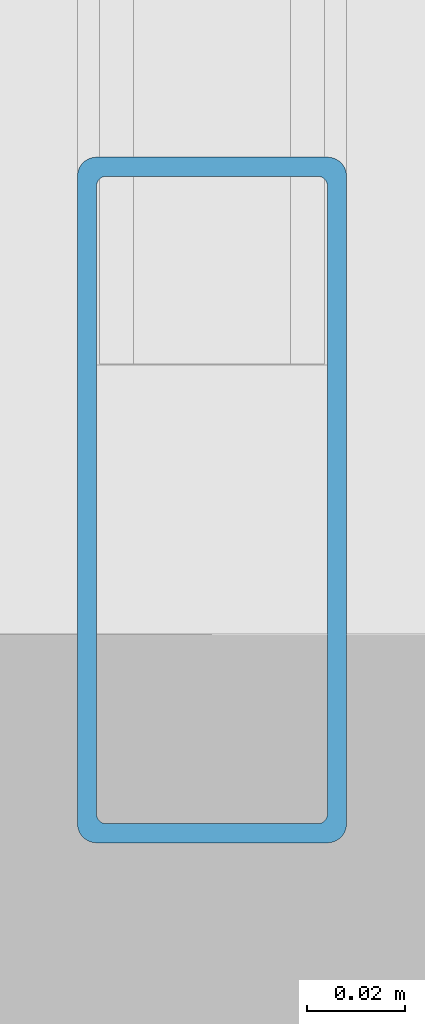
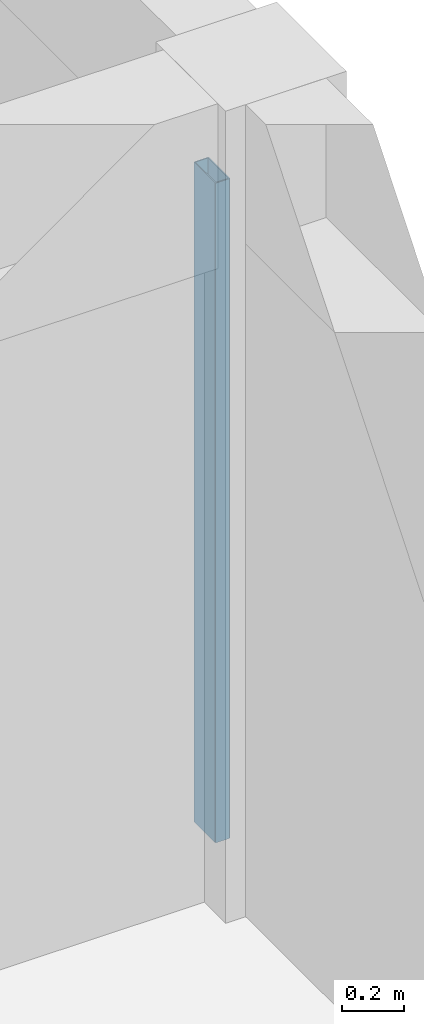
# One storey, part 7 of 51: 1 member, 1 element without a shape of its own.
"""IFC4 building model written with IfcOpenShell, lengths in metres."""

from ifc_helpers import new_model, si_unit, direction, frame, origin, origin_2d, place, context, subcontext, project, spatial, hollow_rectangle, extrude, material, material_profile, profile_set, type_object, element, aggregate, save


model = new_model("IFC4")

# Units and contexts
model_context = context("Model", 3, precision=1e-05, world=origin(), true_north=direction((0.0, 1.0)))
body_context = subcontext(model_context, "Body", "Model", "MODEL_VIEW")
ifc_project = project(units=[si_unit("LENGTHUNIT", "METRE"), si_unit("AREAUNIT", "SQUARE_METRE"), si_unit("VOLUMEUNIT", "CUBIC_METRE"), si_unit("PLANEANGLEUNIT", "RADIAN"), si_unit("MASSUNIT", "GRAM", prefix="KILO")], contexts=[model_context])

# Site, building, storey
site_placement = place(None, origin())
site = spatial("IfcSite", under=ifc_project, at=site_placement, CompositionType="ELEMENT")
building_placement = place(site_placement, origin())
building = spatial("IfcBuilding", under=site, at=building_placement, Name="Kernevlak Ridge Housing Community", CompositionType="ELEMENT")
storey_placement = place(building_placement, frame((0.0, 0.0, 8.39990234375)))
storey = spatial("IfcBuildingStorey", under=building, at=storey_placement, Name="L02", CompositionType="ELEMENT", Elevation=8.39990234375)

# Curtain wall, member
ifc_material_1 = material(Name="Aluminium EN AW-6060 anodised and laminated glass", Category="aluminium")
curtain_wall_type = type_object("IfcCurtainWallType", Name="CW-04", PredefinedType="NOTDEFINED", material=ifc_material_1)
curtain_wall_placement = place(storey_placement, origin())
curtain_wall = element("IfcCurtainWall", 1, at=curtain_wall_placement, inside=storey, type_object=curtain_wall_type, Name="Curtain wall CW-04 CW-L02-147", PredefinedType="NOTDEFINED")
ifc_material_2 = material(Name="Aluminium EN AW-6060 anodised", Category="aluminium")
ifc_material_profile = material_profile(ifc_material_2, hollow_rectangle(XDim=0.054931640625, YDim=0.139892578125, WallThickness=0.00390625, InnerFilletRadius=0.001953125, OuterFilletRadius=0.00390625, at=origin_2d()), Name="ALU 55x140x4")
ifc_profile_set = profile_set([ifc_material_profile], Name="Aluminium EN AW-6060 anodised")
member_type = type_object("IfcMemberType", Name="MU-01", PredefinedType="MULLION", material=ifc_profile_set)
member_placement = place(storey_placement, frame((42.0, 22.452392578125, 0.0), z_axis=(0.0, 0.0, 1.0), x_axis=(-1.0, 0.0, 0.0)))
member = element("IfcMember", 2, at=member_placement, type_object=member_type, Name="CW-04 mullion 1", PredefinedType="MULLION", context=body_context, shape_type="SweptSolid", body=[
    extrude(hollow_rectangle(XDim=0.054931640625, YDim=0.139892578125, WallThickness=0.00390625, InnerFilletRadius=0.001953125, OuterFilletRadius=0.00390625, at=origin_2d()), origin(), (0.0, 0.0, 1.0), 2.60009765625),
])
aggregate(curtain_wall, [member])

save(model, "model.ifc")
